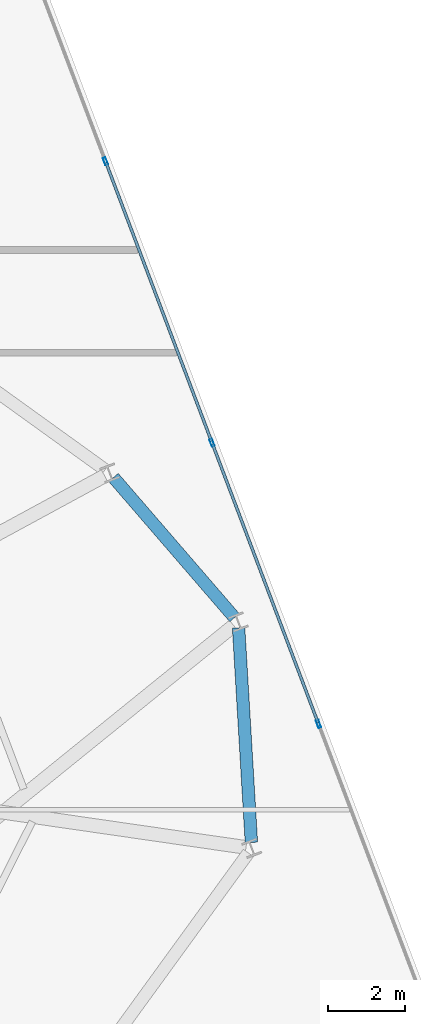
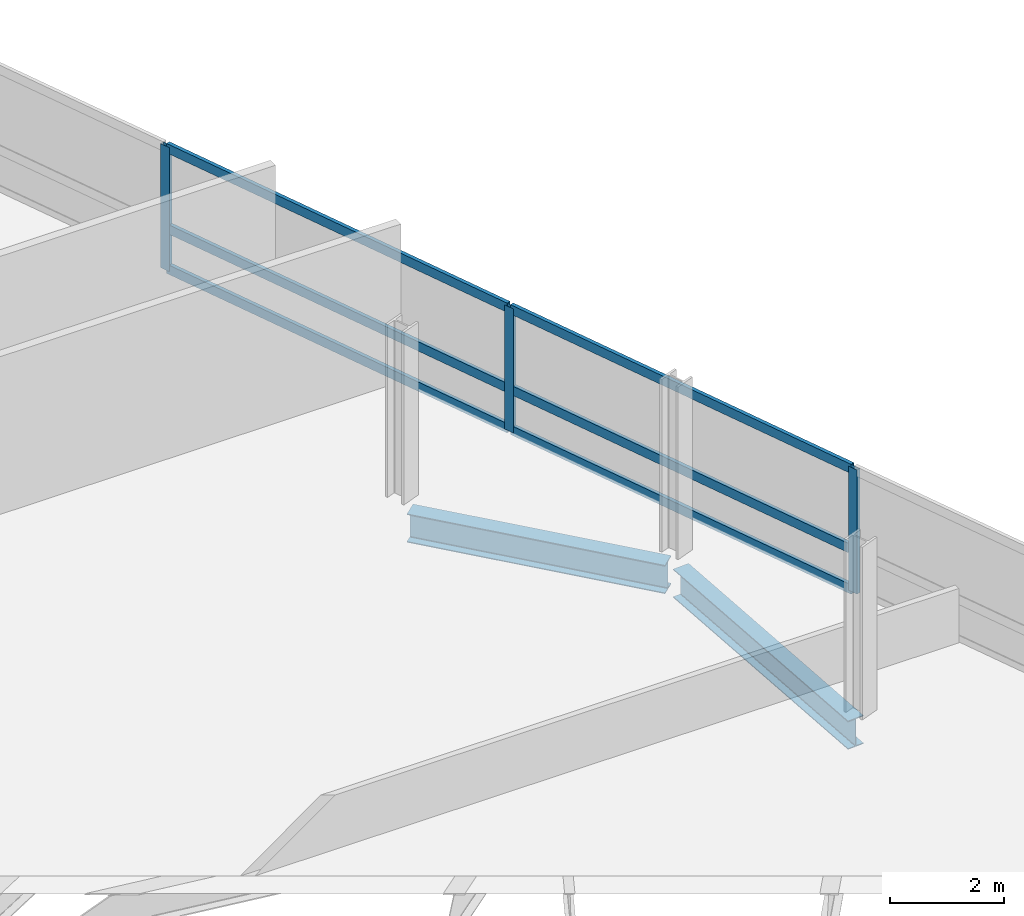
# One storey, part 12 of 19: 9 members, 2 beams, 1 element without a shape of its own.
"""IFC4 building model written with IfcOpenShell, lengths in metres."""

from ifc_helpers import new_model, si_unit, direction, frame, origin, origin_2d, place, context, subcontext, project, spatial, hollow_rectangle, i_section, extrude, material, layer, layer_set, material_profile, profile_set, type_object, element, aggregate, save


model = new_model("IFC4")

# Units and contexts
model_context = context("Model", 3, precision=1e-05, world=origin(), true_north=direction((0.0, 1.0)))
body_context = subcontext(model_context, "Body", "Model", "MODEL_VIEW")
ifc_project = project(units=[si_unit("LENGTHUNIT", "METRE"), si_unit("AREAUNIT", "SQUARE_METRE"), si_unit("VOLUMEUNIT", "CUBIC_METRE"), si_unit("PLANEANGLEUNIT", "RADIAN"), si_unit("MASSUNIT", "GRAM", prefix="KILO")], contexts=[model_context])

# Site, building, storey
site_placement = place(None, origin())
site = spatial("IfcSite", under=ifc_project, at=site_placement, CompositionType="ELEMENT")
building_placement = place(site_placement, origin())
building = spatial("IfcBuilding", under=site, at=building_placement, Name="Varnelok Gate Tower", CompositionType="ELEMENT")
storey_placement = place(building_placement, frame((0.0, 0.0, 249.699951171875)))
storey = spatial("IfcBuildingStorey", under=building, at=storey_placement, Name="L64", CompositionType="ELEMENT", Elevation=249.699951171875)

# Beams
ifc_material_1 = material(Name="Structural Steel ASTM A992 Grade 50", Category="steel")
ifc_material_profile_1 = material_profile(ifc_material_1, i_section(OverallWidth=0.323974609375, OverallDepth=0.611083984375, WebThickness=0.0126953125, FlangeThickness=0.01904296875, FilletRadius=0.01806640625, at=origin_2d()), Name="W24X104")
ifc_profile_set_1 = profile_set([ifc_material_profile_1], Name="Structural Steel ASTM A992 Grade 50")
beam_type = type_object("IfcBeamType", Name="BM-SPN-W24X104", PredefinedType="SPANDREL", material=ifc_profile_set_1)
beam_1_placement = place(storey_placement, frame((71.046142578125, 26.60302734375, -0.555419921875), z_axis=(-0.059494461707, 0.998228635647, 0.0), x_axis=(-0.998228635647, -0.059494461707, 0.0)))
element("IfcBeam", 1, at=beam_1_placement, inside=storey, type_object=beam_type, Name="L64 Perimeter Spandrel Beam 6", PredefinedType="SPANDREL", context=body_context, shape_type="SweptSolid", body=[
    extrude(i_section(OverallWidth=0.323974609375, OverallDepth=0.611083984375, WebThickness=0.0126953125, FlangeThickness=0.01904296875, FilletRadius=0.01806640625, at=origin_2d()), origin(), (0.0, 0.0, 1.0), 5.57666015625),
])
beam_2_placement = place(storey_placement, frame((70.607421875, 32.43310546875, -0.555419921875), z_axis=(-0.653480804386, 0.756943087886, 0.0), x_axis=(-0.756943087886, -0.653480804386, 0.0)))
element("IfcBeam", 2, at=beam_2_placement, inside=storey, type_object=beam_type, Name="L64 Perimeter Spandrel Beam 7", PredefinedType="SPANDREL", context=body_context, shape_type="SweptSolid", body=[
    extrude(i_section(OverallWidth=0.323974609375, OverallDepth=0.611083984375, WebThickness=0.0126953125, FlangeThickness=0.01904296875, FilletRadius=0.01806640625, at=origin_2d()), origin(), (0.0, 0.0, 1.0), 4.799560546875),
])

# Curtain wall, members
ifc_material_2 = material(Name="Anodized Aluminum Alloy 6063-T6", Category="aluminium")
ifc_layer = layer(ifc_material_2, 0.179931640625)
ifc_layer_set = layer_set([ifc_layer], Name="Anodized Aluminum Alloy 6063-T6")
curtain_wall_type = type_object("IfcCurtainWallType", Name="CW4-RESIDENCE-VISION", PredefinedType="USERDEFINED", material=ifc_layer_set)
curtain_wall_placement = place(storey_placement, origin())
curtain_wall = element("IfcCurtainWall", 3, at=curtain_wall_placement, inside=storey, type_object=curtain_wall_type, Name="L64 East End Vision Curtain Wall", ObjectType="UNITISED CURTAIN WALL", PredefinedType="USERDEFINED")
ifc_material_profile_2 = material_profile(ifc_material_2, hollow_rectangle(XDim=0.074951171875, YDim=0.199951171875, WallThickness=0.00390625, at=origin_2d()), Name="ALU200X75X4")
ifc_profile_set_2 = profile_set([ifc_material_profile_2], Name="Anodized Aluminum Alloy 6063-T6")
member_type_1 = type_object("IfcMemberType", Name="CW-MULL-200", PredefinedType="MULLION", material=ifc_profile_set_2)
member_1_placement = place(storey_placement, frame((67.26318359375, 44.2646484375, 0.0), z_axis=(0.0, 0.0, 1.0), x_axis=(0.935221557832, 0.354063042079, 0.0)))
member_1 = element("IfcMember", 4, at=member_1_placement, type_object=member_type_1, Name="CW4 mullion 2", PredefinedType="MULLION", context=body_context, shape_type="SweptSolid", body=[
    extrude(hollow_rectangle(XDim=0.074951171875, YDim=0.199951171875, WallThickness=0.00390625, at=origin_2d()), origin(), (0.0, 0.0, 1.0), 2.66015625),
])
member_2_placement = place(storey_placement, frame((70.02490234375, 36.969970703125, 0.0), z_axis=(0.0, 0.0, 1.0), x_axis=(0.935221557832, 0.354063042079, 0.0)))
member_2 = element("IfcMember", 5, at=member_2_placement, type_object=member_type_1, Name="CW4 mullion 3", PredefinedType="MULLION", context=body_context, shape_type="SweptSolid", body=[
    extrude(hollow_rectangle(XDim=0.074951171875, YDim=0.199951171875, WallThickness=0.00390625, at=origin_2d()), origin(), (0.0, 0.0, 1.0), 2.66015625),
])
member_3_placement = place(storey_placement, frame((72.78662109375, 29.675048828125, 0.0), z_axis=(0.0, 0.0, 1.0), x_axis=(0.935221557832, 0.354063042079, 0.0)))
member_3 = element("IfcMember", 6, at=member_3_placement, type_object=member_type_1, Name="CW4 mullion 4", PredefinedType="MULLION", context=body_context, shape_type="SweptSolid", body=[
    extrude(hollow_rectangle(XDim=0.074951171875, YDim=0.199951171875, WallThickness=0.00390625, at=origin_2d()), origin(), (0.0, 0.0, 1.0), 2.66015625),
])
ifc_material_profile_3 = material_profile(ifc_material_2, hollow_rectangle(XDim=0.074951171875, YDim=0.199951171875, WallThickness=0.00390625, at=origin_2d()), Name="ALU200X75X4")
ifc_profile_set_3 = profile_set([ifc_material_profile_3], Name="Anodized Aluminum Alloy 6063-T6")
member_type_2 = type_object("IfcMemberType", Name="CW-TRAN-200", PredefinedType="USERDEFINED", material=ifc_profile_set_3)
member_4_placement = place(storey_placement, frame((67.2763671875, 44.2294921875, 0.03759765625), z_axis=(0.354086355793, -0.935212731223, 0.0), x_axis=(0.935212731223, 0.354086355793, 0.0)))
member_4 = element("IfcMember", 7, at=member_4_placement, type_object=member_type_2, Name="CW4 transom 2.1", ObjectType="TRANSOM", PredefinedType="USERDEFINED", context=body_context, shape_type="SweptSolid", body=[
    extrude(hollow_rectangle(XDim=0.074951171875, YDim=0.199951171875, WallThickness=0.00390625, at=origin_2d()), origin(), (0.0, 0.0, 1.0), 7.72509765625),
])
member_5_placement = place(storey_placement, frame((67.2763671875, 44.2294921875, 0.900146484375), z_axis=(0.354086355793, -0.935212731223, 0.0), x_axis=(0.935212731223, 0.354086355793, 0.0)))
member_5 = element("IfcMember", 8, at=member_5_placement, type_object=member_type_2, Name="CW4 transom 2.2", ObjectType="TRANSOM", PredefinedType="USERDEFINED", context=body_context, shape_type="SweptSolid", body=[
    extrude(hollow_rectangle(XDim=0.074951171875, YDim=0.199951171875, WallThickness=0.00390625, at=origin_2d()), origin(), (0.0, 0.0, 1.0), 7.72509765625),
])
member_6_placement = place(storey_placement, frame((67.2763671875, 44.2294921875, 2.62255859375), z_axis=(0.354086355793, -0.935212731223, 0.0), x_axis=(0.935212731223, 0.354086355793, 0.0)))
member_6 = element("IfcMember", 9, at=member_6_placement, type_object=member_type_2, Name="CW4 transom 2.3", ObjectType="TRANSOM", PredefinedType="USERDEFINED", context=body_context, shape_type="SweptSolid", body=[
    extrude(hollow_rectangle(XDim=0.074951171875, YDim=0.199951171875, WallThickness=0.00390625, at=origin_2d()), origin(), (0.0, 0.0, 1.0), 7.72509765625),
])
member_7_placement = place(storey_placement, frame((70.0380859375, 36.934814453125, 0.03759765625), z_axis=(0.354086355793, -0.935212731223, 0.0), x_axis=(0.935212731223, 0.354086355793, 0.0)))
member_7 = element("IfcMember", 10, at=member_7_placement, type_object=member_type_2, Name="CW4 transom 3.1", ObjectType="TRANSOM", PredefinedType="USERDEFINED", context=body_context, shape_type="SweptSolid", body=[
    extrude(hollow_rectangle(XDim=0.074951171875, YDim=0.199951171875, WallThickness=0.00390625, at=origin_2d()), origin(), (0.0, 0.0, 1.0), 7.72509765625),
])
member_8_placement = place(storey_placement, frame((70.0380859375, 36.934814453125, 0.900146484375), z_axis=(0.354086355793, -0.935212731223, 0.0), x_axis=(0.935212731223, 0.354086355793, 0.0)))
member_8 = element("IfcMember", 11, at=member_8_placement, type_object=member_type_2, Name="CW4 transom 3.2", ObjectType="TRANSOM", PredefinedType="USERDEFINED", context=body_context, shape_type="SweptSolid", body=[
    extrude(hollow_rectangle(XDim=0.074951171875, YDim=0.199951171875, WallThickness=0.00390625, at=origin_2d()), origin(), (0.0, 0.0, 1.0), 7.72509765625),
])
member_9_placement = place(storey_placement, frame((70.0380859375, 36.934814453125, 2.62255859375), z_axis=(0.354086355793, -0.935212731223, 0.0), x_axis=(0.935212731223, 0.354086355793, 0.0)))
member_9 = element("IfcMember", 12, at=member_9_placement, type_object=member_type_2, Name="CW4 transom 3.3", ObjectType="TRANSOM", PredefinedType="USERDEFINED", context=body_context, shape_type="SweptSolid", body=[
    extrude(hollow_rectangle(XDim=0.074951171875, YDim=0.199951171875, WallThickness=0.00390625, at=origin_2d()), origin(), (0.0, 0.0, 1.0), 7.72509765625),
])
aggregate(curtain_wall, [member_1, member_2, member_3, member_4, member_5, member_6, member_7, member_8, member_9])

save(model, "model.ifc")
